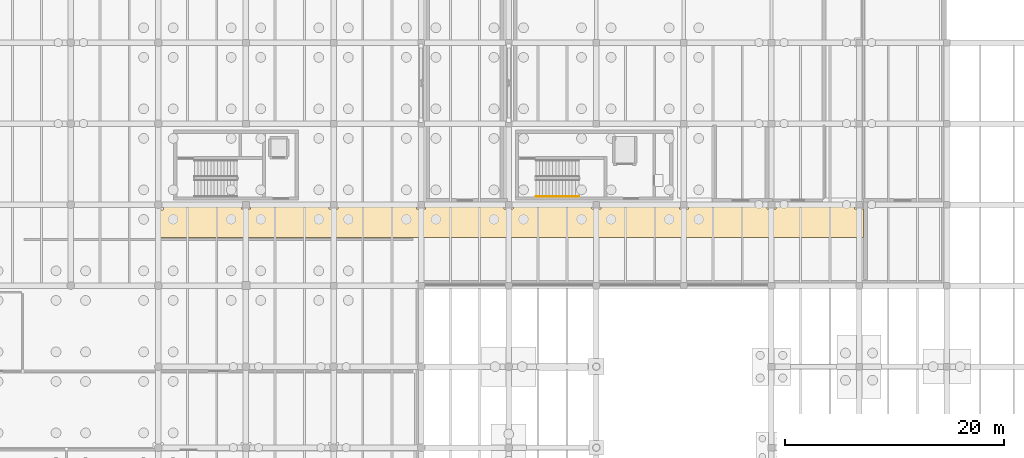
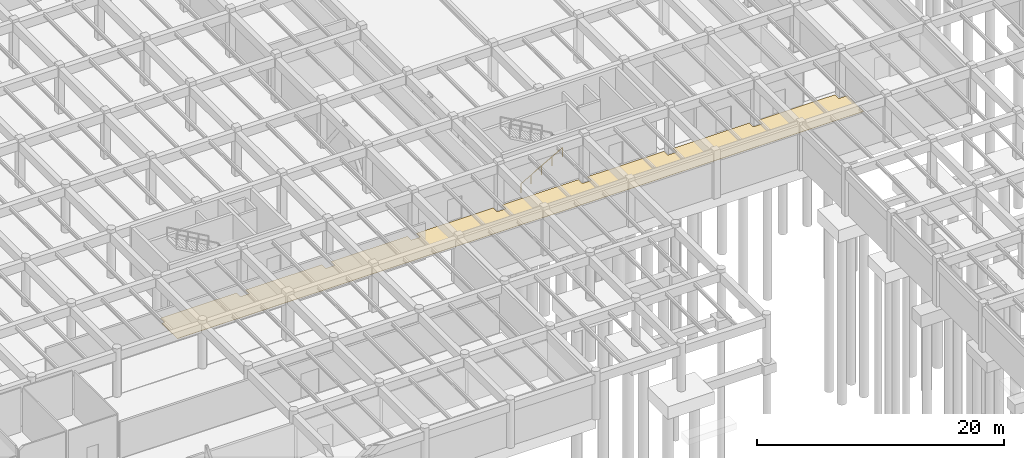
# One storey, part 36 of 40: 1 covering, 1 railing.
"""IFC4 building model written with IfcOpenShell, lengths in metres."""

import ifcopenshell
import ifcopenshell.guid

model = None  # the IFC model being written
_history = None  # IfcOwnerHistory: only IFC2X3 demands one
_inside = {}  # id of a spatial element -> (the spatial element, [elements in it])
_under = {}  # id of a project, library or spatial element -> (it, [spatial elements below it])
_declared = {}  # id of a project -> (the project, [libraries it declares])
_typed = {}  # id of a type object -> (the type object, [elements of that type])
_made_of = {}  # id of a material, layer set ... -> (it, [elements and type objects made of it])


def new_model(schema):
    """Start an empty IFC model of exactly this schema.

    Asked for "IFC4X3", IfcOpenShell would pick the latest addendum, in which some entities
    have other attributes; the version numbers below select the first issue.
    IFC2X3 requires an IfcOwnerHistory on every rooted entity: one is made here for all.
    """
    global model, _history
    if schema == "IFC4X3":
        model = ifcopenshell.file(schema_version=(4, 3, 0, 0))
    else:
        model = ifcopenshell.file(schema=schema)
    _inside.clear()
    _under.clear()
    _declared.clear()
    _typed.clear()
    _made_of.clear()
    _history = None
    if model.schema == "IFC2X3":
        org = make("IfcOrganization", Name="unknown")
        user = make(
            "IfcPersonAndOrganization",
            ThePerson=make("IfcPerson", FamilyName="unknown"),
            TheOrganization=org,
        )
        app = make(
            "IfcApplication",
            ApplicationDeveloper=org,
            Version="unknown",
            ApplicationFullName="unknown",
            ApplicationIdentifier="unknown",
        )
        _history = make(
            "IfcOwnerHistory",
            OwningUser=user,
            OwningApplication=app,
            ChangeAction="ADDED",
            CreationDate=0,
        )
    return model


def make(cls, **values):
    """One entity of the class cls with the attributes given. An attribute that is None is left unset."""
    return model.create_entity(
        cls, **{name: value for name, value in values.items() if value is not None}
    )


def rooted(cls, **values):
    """An entity with a GlobalId (a new one), such as an element, a storey or a relation."""
    return make(cls, GlobalId=ifcopenshell.guid.new(), OwnerHistory=_history, **values)


def si_unit(unit_type, name, prefix=None):
    """IfcSIUnit, for example si_unit("LENGTHUNIT", "METRE", prefix="MILLI")."""
    return make("IfcSIUnit", UnitType=unit_type, Prefix=prefix, Name=name)


def assignment(units):
    """IfcUnitAssignment: the units of a project."""
    return None if units is None else make("IfcUnitAssignment", Units=units)


def point(xyz):
    """IfcCartesianPoint."""
    return None if xyz is None else make("IfcCartesianPoint", Coordinates=xyz)


def direction(xyz):
    """IfcDirection."""
    return None if xyz is None else make("IfcDirection", DirectionRatios=xyz)


def frame(location, z_axis=None, x_axis=None):
    """IfcAxis2Placement3D, a coordinate frame: its origin and axes. An axis left out is left unset."""
    return make(
        "IfcAxis2Placement3D",
        Location=point(location),
        Axis=direction(z_axis),
        RefDirection=direction(x_axis),
    )


def frame_2d(location, x_axis=None):
    """IfcAxis2Placement2D, a coordinate frame in the plane: its origin and x axis."""
    return make(
        "IfcAxis2Placement2D", Location=point(location), RefDirection=direction(x_axis)
    )


def origin():
    """The frame at (0, 0, 0) with its axes left unset."""
    return frame((0.0, 0.0, 0.0))


def origin_2d():
    """The frame at (0, 0) in the plane with its x axis left unset."""
    return frame_2d((0.0, 0.0))


def place(relative_to, where):
    """IfcLocalPlacement: puts the frame where relative to a parent placement (None: the world)."""
    return make(
        "IfcLocalPlacement", PlacementRelTo=relative_to, RelativePlacement=where
    )


def context(
    kind, dimensions, precision=None, world=None, true_north=None, identifier=None
):
    """IfcGeometricRepresentationContext, for example the 3D "Model" context."""
    return make(
        "IfcGeometricRepresentationContext",
        ContextIdentifier=identifier,
        ContextType=kind,
        CoordinateSpaceDimension=dimensions,
        Precision=precision,
        WorldCoordinateSystem=world,
        TrueNorth=true_north,
    )


def subcontext(parent, identifier, kind, view, scale=None):
    """IfcGeometricRepresentationSubContext, for example "Body" below "Model"."""
    return make(
        "IfcGeometricRepresentationSubContext",
        ContextIdentifier=identifier,
        ContextType=kind,
        ParentContext=parent,
        TargetScale=scale,
        TargetView=view,
    )


def project(units=None, contexts=None):
    """IfcProject with its units and contexts."""
    return rooted(
        "IfcProject",
        Name="project",
        RepresentationContexts=contexts,
        UnitsInContext=assignment(units),
    )


def spatial(cls, under=None, at=None, **own):
    """A site, building, storey or space (cls), placed at a placement, below another one or the project."""
    s = rooted(cls, ObjectPlacement=at, **own)
    if under is not None:
        _under.setdefault(under.id(), (under, []))[1].append(s)
    return s


def polyline(points):
    """IfcPolyline through the points."""
    return make("IfcPolyline", Points=[point(p) for p in points])


def profile(cls, at=None, kind="AREA", **sizes):
    """A parametric profile (cls). Its sizes go by their IFC names, for example OverallWidth=200.0."""
    return make(cls, ProfileType=kind, Position=at, **sizes)


def circle(**sizes):
    """IfcCircleProfileDef."""
    return profile("IfcCircleProfileDef", **sizes)


def outline(outer, holes=None, kind="AREA"):
    """IfcArbitraryClosedProfileDef: a profile drawn as a closed curve; with holes, ...WithVoids."""
    if holes is None:
        return make("IfcArbitraryClosedProfileDef", ProfileType=kind, OuterCurve=outer)
    return make(
        "IfcArbitraryProfileDefWithVoids",
        ProfileType=kind,
        OuterCurve=outer,
        InnerCurves=holes,
    )


def extrude(swept, where, along, depth):
    """IfcExtrudedAreaSolid: the profile swept, set in the frame where, extruded along a direction by depth."""
    return make(
        "IfcExtrudedAreaSolid",
        SweptArea=swept,
        Position=where,
        ExtrudedDirection=direction(along),
        Depth=depth,
    )


def shape(context_of_items, identifier, shape_type, items):
    """IfcShapeRepresentation: the items that make up one representation, for example the "Body"."""
    return make(
        "IfcShapeRepresentation",
        ContextOfItems=context_of_items,
        RepresentationIdentifier=identifier,
        RepresentationType=shape_type,
        Items=items,
    )


def material(Name=None, Category=None):
    """IfcMaterial."""
    return make("IfcMaterial", Name=Name, Category=Category)


def layer(
    of_material, thickness, ventilated=None, Name=None, Category=None, Priority=None
):
    """IfcMaterialLayer: one layer of a wall or slab, of a material (None: an air gap)."""
    return make(
        "IfcMaterialLayer",
        Material=of_material,
        LayerThickness=thickness,
        IsVentilated=ventilated,
        Name=Name,
        Category=Category,
        Priority=Priority,
    )


def layer_set(layers, Name=None):
    """IfcMaterialLayerSet."""
    return make("IfcMaterialLayerSet", MaterialLayers=layers, LayerSetName=Name)


def made_of(thing, what):
    """Note that an element or type object is made of a material, layer set ...; save() writes the relation."""
    if what is not None:
        _made_of.setdefault(what.id(), (what, []))[1].append(thing)
    return thing


def type_object(cls, material=None, **own):
    """A type object (cls), such as IfcWallType, which elements share."""
    return made_of(rooted(cls, **own), material)


def element(
    cls,
    number,
    at=None,
    inside=None,
    cuts=None,
    type_object=None,
    material=None,
    context=None,
    identifier="Body",
    shape_type=None,
    held_by="IfcProductDefinitionShape",
    body=None,
    shapes=None,
    **own,
):
    """One element of the class cls, such as IfcWall. Its Tag is "e" and its number.

    at: its placement. inside: the storey or other place that contains it. cuts: it is an
    opening in that element (IfcRelVoidsElement). A single representation is given by context,
    identifier, shape_type and body (its items); several are given by shapes. held_by: the class
    of the entity that holds the representations. save() writes the other relations.
    """
    e = rooted(cls, Tag="e%d" % number, ObjectPlacement=at, **own)
    if body is not None:
        shapes = [shape(context, identifier, shape_type, body)]
    if shapes is not None:
        e.Representation = make(held_by, Representations=shapes)
    if inside is not None:
        _inside.setdefault(inside.id(), (inside, []))[1].append(e)
    if cuts is not None:
        rooted(
            "IfcRelVoidsElement", RelatingBuildingElement=cuts, RelatedOpeningElement=e
        )
    if type_object is not None:
        _typed.setdefault(type_object.id(), (type_object, []))[1].append(e)
    return made_of(e, material)


def aggregate(whole, parts):
    """IfcRelAggregates: a whole, such as a stair, and the parts it consists of."""
    return rooted("IfcRelAggregates", RelatingObject=whole, RelatedObjects=parts)


def save(model, path):
    """Write the relations noted so far, then the file.

    IfcRelAggregates (storeys below a building ...), IfcRelContainedInSpatialStructure (elements
    in a storey), IfcRelDefinesByType, IfcRelAssociatesMaterial and IfcRelDeclares: one each for
    every whole, place, type object, material and project.
    """
    for whole, parts in _under.values():
        aggregate(whole, parts)
    for where, things in _inside.values():
        rooted(
            "IfcRelContainedInSpatialStructure",
            RelatedElements=things,
            RelatingStructure=where,
        )
    for kind, things in _typed.values():
        rooted("IfcRelDefinesByType", RelatedObjects=things, RelatingType=kind)
    for what, things in _made_of.values():
        rooted("IfcRelAssociatesMaterial", RelatedObjects=things, RelatingMaterial=what)
    for by, libraries in _declared.values():
        rooted("IfcRelDeclares", RelatingContext=by, RelatedDefinitions=libraries)
    model.write(path)


model = new_model("IFC4")

# Units and contexts
model_context = context("Model", 3, precision=1e-05, world=origin(), true_north=direction((0.0, 1.0)))
body_context = subcontext(model_context, "Body", "Model", "MODEL_VIEW")
ifc_project = project(units=[si_unit("LENGTHUNIT", "METRE"), si_unit("AREAUNIT", "SQUARE_METRE"), si_unit("VOLUMEUNIT", "CUBIC_METRE"), si_unit("PLANEANGLEUNIT", "RADIAN"), si_unit("MASSUNIT", "GRAM", prefix="KILO")], contexts=[model_context])

# Site, building, storey
site_placement = place(None, origin())
site = spatial("IfcSite", under=ifc_project, at=site_placement, CompositionType="ELEMENT")
building_placement = place(site_placement, origin())
building = spatial("IfcBuilding", under=site, at=building_placement, Name="Valkorina Park Police Headquarters", CompositionType="ELEMENT")
storey_placement = place(building_placement, frame((0.0, 0.0, -4.800048828125)))
storey = spatial("IfcBuildingStorey", under=building, at=storey_placement, Name="B01", CompositionType="ELEMENT", Elevation=-4.800048828125)

# Covering
ifc_material_1 = material(Name="Resin terrazzo flooring")
ifc_layer = layer(ifc_material_1, 0.030029296875)
ifc_layer_set = layer_set([ifc_layer], Name="Resin terrazzo flooring")
covering_type = type_object("IfcCoveringType", Name="COV-FLOOR-TERRAZZO", PredefinedType="FLOORING", material=ifc_layer_set)
covering_placement = place(storey_placement, origin())
element("IfcCovering", 1, at=covering_placement, inside=storey, type_object=covering_type, Name="Firing Range Acoustic Lobby Corridor Terrazzo Flooring", PredefinedType="FLOORING", context=body_context, shape_type="SweptSolid", body=[
    extrude(outline(polyline([(145.199951171875, 66.207275390625), (145.196533203125, 66.203369140625), (145.19091796875, 66.1982421875), (145.184326171875, 66.193603515625), (145.177734375, 66.189453125), (145.170654296875, 66.18603515625), (145.1630859375, 66.183349609375), (145.155517578125, 66.181396484375), (145.147705078125, 66.180419921875), (145.139892578125, 66.179931640625), (144.4599609375, 66.179931640625), (144.4521484375, 66.180419921875), (144.4443359375, 66.181396484375), (144.436767578125, 66.183349609375), (144.429443359375, 66.18603515625), (144.42236328125, 66.189453125), (144.41552734375, 66.193603515625), (144.4091796875, 66.1982421875), (144.4033203125, 66.203369140625), (144.398193359375, 66.209228515625), (144.3935546875, 66.215576171875), (144.389404296875, 66.222412109375), (144.385986328125, 66.2294921875), (144.38330078125, 66.23681640625), (144.381591796875, 66.244384765625), (144.38037109375, 66.252197265625), (144.3798828125, 66.260009765625), (144.3798828125, 66.800048828125), (137.219970703125, 66.800048828125), (137.219970703125, 66.260009765625), (137.219482421875, 66.252197265625), (137.218505859375, 66.244384765625), (137.216552734375, 66.23681640625), (137.2138671875, 66.2294921875), (137.210693359375, 66.222412109375), (137.20654296875, 66.215576171875), (137.201904296875, 66.209228515625), (137.196533203125, 66.203369140625), (137.19091796875, 66.1982421875), (137.184326171875, 66.193603515625), (137.177734375, 66.189453125), (137.170654296875, 66.18603515625), (137.1630859375, 66.183349609375), (137.155517578125, 66.181396484375), (137.147705078125, 66.180419921875), (137.139892578125, 66.179931640625), (136.4599609375, 66.179931640625), (136.4521484375, 66.180419921875), (136.4443359375, 66.181396484375), (136.436767578125, 66.183349609375), (136.429443359375, 66.18603515625), (136.42236328125, 66.189453125), (136.41552734375, 66.193603515625), (136.4091796875, 66.1982421875), (136.4033203125, 66.203369140625), (136.398193359375, 66.209228515625), (136.3935546875, 66.215576171875), (136.389404296875, 66.222412109375), (136.385986328125, 66.2294921875), (136.38330078125, 66.23681640625), (136.381591796875, 66.244384765625), (136.38037109375, 66.252197265625), (136.3798828125, 66.260009765625), (136.3798828125, 66.800048828125), (129.219970703125, 66.800048828125), (129.219970703125, 66.260009765625), (129.219482421875, 66.252197265625), (129.218505859375, 66.244384765625), (129.216552734375, 66.23681640625), (129.2138671875, 66.2294921875), (129.210693359375, 66.222412109375), (129.20654296875, 66.215576171875), (129.201904296875, 66.209228515625), (129.196533203125, 66.203369140625), (129.19091796875, 66.1982421875), (129.184326171875, 66.193603515625), (129.177734375, 66.189453125), (129.170654296875, 66.18603515625), (129.1630859375, 66.183349609375), (129.155517578125, 66.181396484375), (129.147705078125, 66.180419921875), (129.139892578125, 66.179931640625), (128.4599609375, 66.179931640625), (128.4521484375, 66.180419921875), (128.4443359375, 66.181396484375), (128.436767578125, 66.183349609375), (128.429443359375, 66.18603515625), (128.42236328125, 66.189453125), (128.41552734375, 66.193603515625), (128.4091796875, 66.1982421875), (128.4033203125, 66.203369140625), (128.398193359375, 66.209228515625), (128.3935546875, 66.215576171875), (128.389404296875, 66.222412109375), (128.385986328125, 66.2294921875), (128.38330078125, 66.23681640625), (128.381591796875, 66.244384765625), (128.38037109375, 66.252197265625), (128.3798828125, 66.260009765625), (128.3798828125, 66.800048828125), (121.219970703125, 66.800048828125), (121.219970703125, 66.260009765625), (121.219482421875, 66.252197265625), (121.218505859375, 66.244384765625), (121.216552734375, 66.23681640625), (121.2138671875, 66.2294921875), (121.210693359375, 66.222412109375), (121.20654296875, 66.215576171875), (121.201904296875, 66.209228515625), (121.196533203125, 66.203369140625), (121.19091796875, 66.1982421875), (121.184326171875, 66.193603515625), (121.177734375, 66.189453125), (121.170654296875, 66.18603515625), (121.1630859375, 66.183349609375), (121.155517578125, 66.181396484375), (121.147705078125, 66.180419921875), (121.139892578125, 66.179931640625), (120.4599609375, 66.179931640625), (120.4521484375, 66.180419921875), (120.4443359375, 66.181396484375), (120.436767578125, 66.183349609375), (120.429443359375, 66.18603515625), (120.42236328125, 66.189453125), (120.41552734375, 66.193603515625), (120.4091796875, 66.1982421875), (120.4033203125, 66.203369140625), (120.398193359375, 66.209228515625), (120.3935546875, 66.215576171875), (120.389404296875, 66.222412109375), (120.385986328125, 66.2294921875), (120.38330078125, 66.23681640625), (120.381591796875, 66.244384765625), (120.38037109375, 66.252197265625), (120.3798828125, 66.260009765625), (120.3798828125, 66.800048828125), (113.219970703125, 66.800048828125), (113.219970703125, 66.260009765625), (113.219482421875, 66.252197265625), (113.218505859375, 66.244384765625), (113.216552734375, 66.23681640625), (113.2138671875, 66.2294921875), (113.210693359375, 66.222412109375), (113.20654296875, 66.215576171875), (113.201904296875, 66.209228515625), (113.196533203125, 66.203369140625), (113.19091796875, 66.1982421875), (113.184326171875, 66.193603515625), (113.177734375, 66.189453125), (113.170654296875, 66.18603515625), (113.1630859375, 66.183349609375), (113.155517578125, 66.181396484375), (113.147705078125, 66.180419921875), (113.139892578125, 66.179931640625), (112.4599609375, 66.179931640625), (112.4521484375, 66.180419921875), (112.4443359375, 66.181396484375), (112.436767578125, 66.183349609375), (112.429443359375, 66.18603515625), (112.42236328125, 66.189453125), (112.41552734375, 66.193603515625), (112.4091796875, 66.1982421875), (112.4033203125, 66.203369140625), (112.398193359375, 66.209228515625), (112.3935546875, 66.215576171875), (112.389404296875, 66.222412109375), (112.385986328125, 66.2294921875), (112.38330078125, 66.23681640625), (112.381591796875, 66.244384765625), (112.38037109375, 66.252197265625), (112.3798828125, 66.260009765625), (112.3798828125, 66.800048828125), (105.219970703125, 66.800048828125), (105.219970703125, 66.260009765625), (105.219482421875, 66.252197265625), (105.218505859375, 66.244384765625), (105.216552734375, 66.23681640625), (105.2138671875, 66.2294921875), (105.210693359375, 66.222412109375), (105.20654296875, 66.215576171875), (105.201904296875, 66.209228515625), (105.196533203125, 66.203369140625), (105.19091796875, 66.1982421875), (105.184326171875, 66.193603515625), (105.177734375, 66.189453125), (105.170654296875, 66.18603515625), (105.1630859375, 66.183349609375), (105.155517578125, 66.181396484375), (105.147705078125, 66.180419921875), (105.139892578125, 66.179931640625), (104.4599609375, 66.179931640625), (104.4521484375, 66.180419921875), (104.4443359375, 66.181396484375), (104.436767578125, 66.183349609375), (104.429443359375, 66.18603515625), (104.42236328125, 66.189453125), (104.41552734375, 66.193603515625), (104.4091796875, 66.1982421875), (104.4033203125, 66.203369140625), (104.398193359375, 66.209228515625), (104.3935546875, 66.215576171875), (104.389404296875, 66.222412109375), (104.385986328125, 66.2294921875), (104.38330078125, 66.23681640625), (104.381591796875, 66.244384765625), (104.38037109375, 66.252197265625), (104.3798828125, 66.260009765625), (104.3798828125, 66.800048828125), (97.219970703125, 66.800048828125), (97.219970703125, 66.260009765625), (97.219482421875, 66.252197265625), (97.218505859375, 66.244384765625), (97.216552734375, 66.23681640625), (97.2138671875, 66.2294921875), (97.210693359375, 66.222412109375), (97.20654296875, 66.215576171875), (97.201904296875, 66.209228515625), (97.196533203125, 66.203369140625), (97.19091796875, 66.1982421875), (97.184326171875, 66.193603515625), (97.177734375, 66.189453125), (97.170654296875, 66.18603515625), (97.1630859375, 66.183349609375), (97.155517578125, 66.181396484375), (97.147705078125, 66.180419921875), (97.139892578125, 66.179931640625), (96.4599609375, 66.179931640625), (96.4521484375, 66.180419921875), (96.4443359375, 66.181396484375), (96.436767578125, 66.183349609375), (96.429443359375, 66.18603515625), (96.42236328125, 66.189453125), (96.41552734375, 66.193603515625), (96.4091796875, 66.1982421875), (96.4033203125, 66.203369140625), (96.398193359375, 66.209228515625), (96.3935546875, 66.215576171875), (96.389404296875, 66.222412109375), (96.385986328125, 66.2294921875), (96.38330078125, 66.23681640625), (96.381591796875, 66.244384765625), (96.38037109375, 66.252197265625), (96.3798828125, 66.260009765625), (96.3798828125, 66.800048828125), (89.219970703125, 66.800048828125), (89.219970703125, 66.260009765625), (89.219482421875, 66.252197265625), (89.218505859375, 66.244384765625), (89.216552734375, 66.23681640625), (89.2138671875, 66.2294921875), (89.210693359375, 66.222412109375), (89.20654296875, 66.215576171875), (89.201904296875, 66.209228515625), (89.196533203125, 66.203369140625), (89.19091796875, 66.1982421875), (89.184326171875, 66.193603515625), (89.177734375, 66.189453125), (89.170654296875, 66.18603515625), (89.1630859375, 66.183349609375), (89.155517578125, 66.181396484375), (89.147705078125, 66.180419921875), (89.139892578125, 66.179931640625), (88.4599609375, 66.179931640625), (88.4521484375, 66.180419921875), (88.4443359375, 66.181396484375), (88.436767578125, 66.183349609375), (88.429443359375, 66.18603515625), (88.42236328125, 66.189453125), (88.41552734375, 66.193603515625), (88.4091796875, 66.1982421875), (88.4033203125, 66.203369140625), (88.398193359375, 66.209228515625), (88.3935546875, 66.215576171875), (88.389404296875, 66.222412109375), (88.385986328125, 66.2294921875), (88.38330078125, 66.23681640625), (88.381591796875, 66.244384765625), (88.38037109375, 66.252197265625), (88.3798828125, 66.260009765625), (88.3798828125, 66.800048828125), (81.27001953125, 66.800048828125), (81.27001953125, 66.2099609375), (81.26953125, 66.2021484375), (81.2685546875, 66.1943359375), (81.2666015625, 66.186767578125), (81.263916015625, 66.179443359375), (81.260498046875, 66.17236328125), (81.256591796875, 66.16552734375), (81.251708984375, 66.1591796875), (81.24658203125, 66.1533203125), (81.24072265625, 66.148193359375), (81.234375, 66.1435546875), (81.227783203125, 66.139404296875), (81.220703125, 66.135986328125), (81.213134765625, 66.13330078125), (81.20556640625, 66.131591796875), (81.19775390625, 66.13037109375), (81.18994140625, 66.1298828125), (81.0, 66.1298828125), (81.0, 63.60009765625), (145.199951171875, 63.60009765625), (145.199951171875, 66.207275390625)])), origin(), (0.0, 0.0, 1.0), 0.030029296875),
])

# Railing
ifc_material_2 = material(Name="Stainless steel EN 1.4404", Category="steel")
railing_type = type_object("IfcRailingType", Name="RL-HANDRAIL-900", PredefinedType="HANDRAIL", material=ifc_material_2)
railing_placement = place(storey_placement, frame((115.300048828125, 67.35009765625, 0.17138671875)))
element("IfcRailing", 2, at=railing_placement, inside=storey, type_object=railing_type, Name="B01 Core C5 Stair Handrail 1", PredefinedType="HANDRAIL", context=body_context, shape_type="SweptSolid", body=[
    extrude(circle(Radius=0.02392578125, at=origin_2d()), frame((0.0, 0.0, 0.8759765625), z_axis=(0.868219727965, 0.0, 0.496179910892), x_axis=(0.0, 1.0, 0.0)), (0.0, 0.0, 1.0), 4.491943359375),
    extrude(circle(Radius=0.02099609375, at=origin_2d()), origin(), (0.0, 0.0, 1.0), 0.851806640625),
    extrude(circle(Radius=0.02099609375, at=origin_2d()), frame((0.97509765625, 0.0, 0.55712890625)), (0.0, 0.0, 1.0), 0.851806640625),
    extrude(circle(Radius=0.02099609375, at=origin_2d()), frame((1.949951171875, 0.0, 1.1142578125)), (0.0, 0.0, 1.0), 0.851806640625),
    extrude(circle(Radius=0.02099609375, at=origin_2d()), frame((2.9248046875, 0.0, 1.671630859375)), (0.0, 0.0, 1.0), 0.851806640625),
    extrude(circle(Radius=0.02099609375, at=origin_2d()), frame((3.89990234375, 0.0, 2.228759765625)), (0.0, 0.0, 1.0), 0.851806640625),
])

save(model, "model.ifc")
